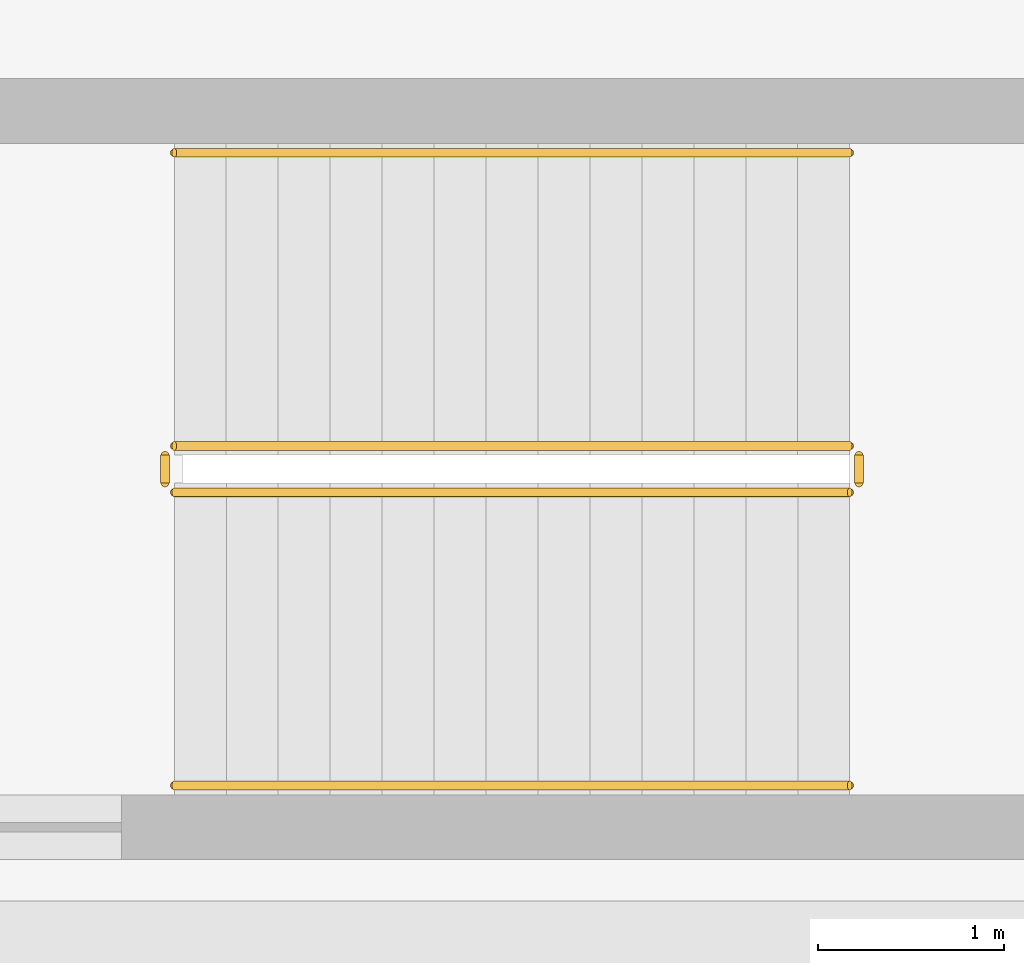
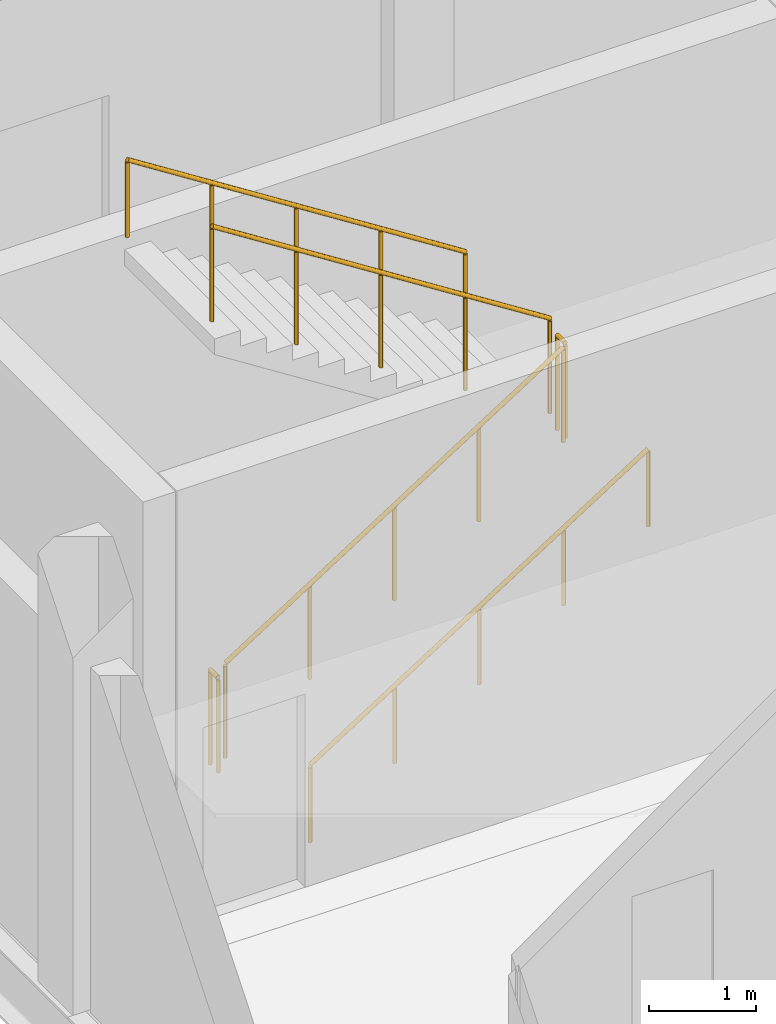
# One storey, part 46 of 46: 6 railings.
"""IFC4 building model written with IfcOpenShell, lengths in metres."""

from ifc_helpers import new_model, si_unit, direction, frame, origin, origin_2d, place, context, subcontext, project, spatial, circle, extrude, material, type_object, element, save


model = new_model("IFC4")

# Units and contexts
model_context = context("Model", 3, precision=1e-05, world=origin(), true_north=direction((0.0, 1.0)))
body_context = subcontext(model_context, "Body", "Model", "MODEL_VIEW")
ifc_project = project(units=[si_unit("LENGTHUNIT", "METRE"), si_unit("AREAUNIT", "SQUARE_METRE"), si_unit("VOLUMEUNIT", "CUBIC_METRE"), si_unit("PLANEANGLEUNIT", "RADIAN"), si_unit("MASSUNIT", "GRAM", prefix="KILO")], contexts=[model_context])

# Site, building, storey
site_placement = place(None, origin())
site = spatial("IfcSite", under=ifc_project, at=site_placement, CompositionType="ELEMENT")
building_placement = place(site_placement, origin())
building = spatial("IfcBuilding", under=site, at=building_placement, Name="Qorvath Tower", CompositionType="ELEMENT")
storey_placement = place(building_placement, frame((0.0, 0.0, 17.0)))
storey = spatial("IfcBuildingStorey", under=building, at=storey_placement, Name="L03", CompositionType="ELEMENT", Elevation=17.0)

# Railings
ifc_material_1 = material(Name="Painted galvanised steel", Category="steel")
railing_type_1 = type_object("IfcRailingType", Name="RL-STR-GRD", PredefinedType="GUARDRAIL", material=ifc_material_1)
railing_1_placement = place(storey_placement, frame((35.280029296875, 31.179931640625, 0.178466796875)))
element("IfcRailing", 1, at=railing_1_placement, inside=storey, type_object=railing_type_1, Name="L03 LS1 stair guard 1", PredefinedType="GUARDRAIL", context=body_context, shape_type="SweptSolid", body=[
    extrude(circle(Radius=0.02392578125, at=origin_2d()), frame((0.0, 0.0, 1.076171875), z_axis=(0.843111507901, 0.0, 0.53773877045), x_axis=(0.0, 1.0, 0.0)), (0.0, 0.0, 1.0), 4.317138671875),
    extrude(circle(Radius=0.02099609375, at=origin_2d()), origin(), (0.0, 0.0, 1.0), 1.052001953125),
    extrude(circle(Radius=0.02099609375, at=origin_2d()), frame((0.909912109375, 0.0, 0.580322265625)), (0.0, 0.0, 1.0), 1.052001953125),
    extrude(circle(Radius=0.02099609375, at=origin_2d()), frame((1.81982421875, 0.0, 1.16064453125)), (0.0, 0.0, 1.0), 1.052001953125),
    extrude(circle(Radius=0.02099609375, at=origin_2d()), frame((2.72998046875, 0.0, 1.7412109375)), (0.0, 0.0, 1.0), 1.052001953125),
    extrude(circle(Radius=0.02099609375, at=origin_2d()), frame((3.639892578125, 0.0, 2.321533203125)), (0.0, 0.0, 1.0), 1.052001953125),
])
railing_2_placement = place(storey_placement, frame((38.969970703125, 31.22998046875, 2.5)))
element("IfcRailing", 2, at=railing_2_placement, inside=storey, type_object=railing_type_1, Name="L03 LS1 stair guard 2", PredefinedType="GUARDRAIL", context=body_context, shape_type="SweptSolid", body=[
    extrude(circle(Radius=0.02392578125, at=origin_2d()), frame((0.0, 0.0, 1.076171875), z_axis=(0.0, 1.0, 0.0), x_axis=(-1.0, 0.0, 0.0)), (0.0, 0.0, 1.0), 0.14990234375),
    extrude(circle(Radius=0.02099609375, at=origin_2d()), origin(), (0.0, 0.0, 1.0), 1.052001953125),
    extrude(circle(Radius=0.02099609375, at=origin_2d()), frame((0.0, 0.14990234375, 0.0)), (0.0, 0.0, 1.0), 1.052001953125),
])
railing_3_placement = place(storey_placement, frame((38.919921875, 31.429931640625, 2.678466796875)))
element("IfcRailing", 3, at=railing_3_placement, inside=storey, type_object=railing_type_1, Name="L03 LS1 stair guard 3", PredefinedType="GUARDRAIL", context=body_context, shape_type="SweptSolid", body=[
    extrude(circle(Radius=0.02392578125, at=origin_2d()), frame((0.0, 0.0, 1.076171875), z_axis=(-0.843111507901, 0.0, 0.53773877045), x_axis=(0.0, -1.0, 0.0)), (0.0, 0.0, 1.0), 4.317138671875),
    extrude(circle(Radius=0.02099609375, at=origin_2d()), origin(), (0.0, 0.0, 1.0), 1.052001953125),
    extrude(circle(Radius=0.02099609375, at=origin_2d()), frame((-0.909912109375, 0.0, 0.580322265625)), (0.0, 0.0, 1.0), 1.052001953125),
    extrude(circle(Radius=0.02099609375, at=origin_2d()), frame((-1.81982421875, 0.0, 1.16064453125)), (0.0, 0.0, 1.0), 1.052001953125),
    extrude(circle(Radius=0.02099609375, at=origin_2d()), frame((-2.72998046875, 0.0, 1.7412109375)), (0.0, 0.0, 1.0), 1.052001953125),
    extrude(circle(Radius=0.02099609375, at=origin_2d()), frame((-3.639892578125, 0.0, 2.321533203125)), (0.0, 0.0, 1.0), 1.052001953125),
])
railing_4_placement = place(storey_placement, frame((35.22998046875, 31.22998046875, 0.0)))
element("IfcRailing", 4, at=railing_4_placement, inside=storey, type_object=railing_type_1, Name="L03 LS1 stair guard 4", PredefinedType="GUARDRAIL", context=body_context, shape_type="SweptSolid", body=[
    extrude(circle(Radius=0.02392578125, at=origin_2d()), frame((0.0, 0.0, 1.076171875), z_axis=(0.0, 1.0, 0.0), x_axis=(-1.0, 0.0, 0.0)), (0.0, 0.0, 1.0), 0.14990234375),
    extrude(circle(Radius=0.02099609375, at=origin_2d()), origin(), (0.0, 0.0, 1.0), 1.052001953125),
    extrude(circle(Radius=0.02099609375, at=origin_2d()), frame((0.0, 0.14990234375, 0.0)), (0.0, 0.0, 1.0), 1.052001953125),
])
ifc_material_2 = material(Name="Brushed stainless steel AISI 304", Category="steel")
railing_type_2 = type_object("IfcRailingType", Name="RL-STR-HND", PredefinedType="HANDRAIL", material=ifc_material_2)
railing_5_placement = place(storey_placement, frame((35.280029296875, 29.60009765625, 0.178466796875)))
element("IfcRailing", 5, at=railing_5_placement, inside=storey, type_object=railing_type_2, Name="L03 LS1 stair handrail 1", PredefinedType="HANDRAIL", context=body_context, shape_type="SweptSolid", body=[
    extrude(circle(Radius=0.02392578125, at=origin_2d()), frame((0.0, 0.0, 0.8759765625), z_axis=(0.843111507901, 0.0, 0.53773877045), x_axis=(0.0, 1.0, 0.0)), (0.0, 0.0, 1.0), 4.317138671875),
    extrude(circle(Radius=0.02099609375, at=origin_2d()), origin(), (0.0, 0.0, 1.0), 0.851806640625),
    extrude(circle(Radius=0.02099609375, at=origin_2d()), frame((0.909912109375, 0.0, 0.580322265625)), (0.0, 0.0, 1.0), 0.851806640625),
    extrude(circle(Radius=0.02099609375, at=origin_2d()), frame((1.81982421875, 0.0, 1.16064453125)), (0.0, 0.0, 1.0), 0.851806640625),
    extrude(circle(Radius=0.02099609375, at=origin_2d()), frame((2.72998046875, 0.0, 1.7412109375)), (0.0, 0.0, 1.0), 0.851806640625),
    extrude(circle(Radius=0.02099609375, at=origin_2d()), frame((3.639892578125, 0.0, 2.321533203125)), (0.0, 0.0, 1.0), 0.851806640625),
])
railing_6_placement = place(storey_placement, frame((38.919921875, 33.010009765625, 2.678466796875)))
element("IfcRailing", 6, at=railing_6_placement, inside=storey, type_object=railing_type_2, Name="L03 LS1 stair handrail 2", PredefinedType="HANDRAIL", context=body_context, shape_type="SweptSolid", body=[
    extrude(circle(Radius=0.02392578125, at=origin_2d()), frame((0.0, 0.0, 0.8759765625), z_axis=(-0.843111507901, 0.0, 0.53773877045), x_axis=(0.0, -1.0, 0.0)), (0.0, 0.0, 1.0), 4.317138671875),
    extrude(circle(Radius=0.02099609375, at=origin_2d()), origin(), (0.0, 0.0, 1.0), 0.851806640625),
    extrude(circle(Radius=0.02099609375, at=origin_2d()), frame((-0.909912109375, 0.0, 0.580322265625)), (0.0, 0.0, 1.0), 0.851806640625),
    extrude(circle(Radius=0.02099609375, at=origin_2d()), frame((-1.81982421875, 0.0, 1.16064453125)), (0.0, 0.0, 1.0), 0.851806640625),
    extrude(circle(Radius=0.02099609375, at=origin_2d()), frame((-2.72998046875, 0.0, 1.7412109375)), (0.0, 0.0, 1.0), 0.851806640625),
    extrude(circle(Radius=0.02099609375, at=origin_2d()), frame((-3.639892578125, 0.0, 2.321533203125)), (0.0, 0.0, 1.0), 0.851806640625),
])

save(model, "model.ifc")
